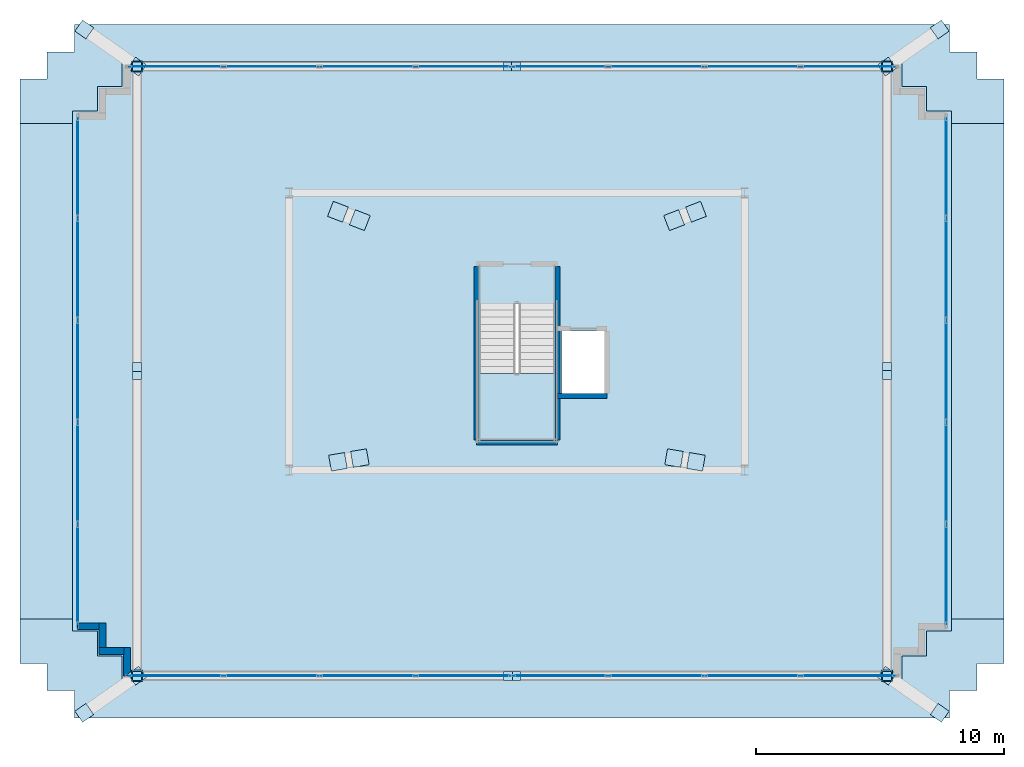
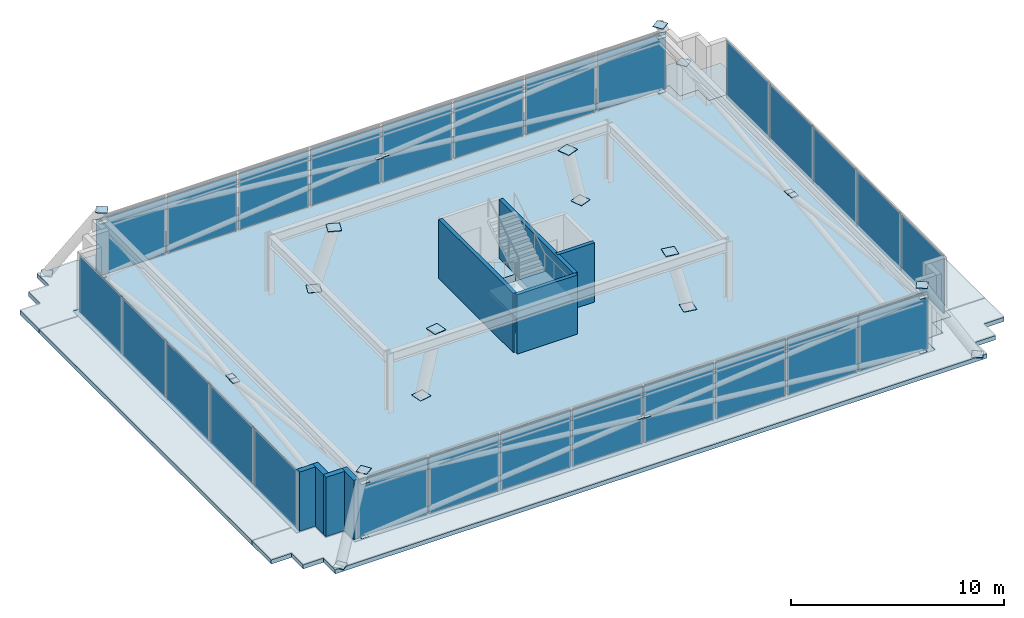
# One storey, part 14 of 18: 58 plates, 8 walls, 6 slabs, 5 elements without a shape of their own.
"""IFC4 building model written with IfcOpenShell, lengths in metres."""

from ifc_helpers import new_model, si_unit, direction, frame, frame_2d, origin, origin_2d, place, context, subcontext, project, spatial, polyline, rectangle, outline, extrude, material, layer, layer_set, type_object, element, aggregate, save


model = new_model("IFC4")

# Units and contexts
model_context = context("Model", 3, precision=1e-05, world=origin(), true_north=direction((0.0, 1.0)))
body_context = subcontext(model_context, "Body", "Model", "MODEL_VIEW")
ifc_project = project(units=[si_unit("LENGTHUNIT", "METRE"), si_unit("AREAUNIT", "SQUARE_METRE"), si_unit("VOLUMEUNIT", "CUBIC_METRE"), si_unit("PLANEANGLEUNIT", "RADIAN"), si_unit("MASSUNIT", "GRAM", prefix="KILO")], contexts=[model_context])

# Site, building, storey
site_placement = place(None, origin())
site = spatial("IfcSite", under=ifc_project, at=site_placement, CompositionType="ELEMENT")
building_placement = place(site_placement, origin())
building = spatial("IfcBuilding", under=site, at=building_placement, Name="Qobustan Lattice House", CompositionType="ELEMENT")
storey_placement = place(building_placement, frame((0.0, 0.0, 277.800048828125)))
storey = spatial("IfcBuildingStorey", under=building, at=storey_placement, Name="L78", CompositionType="ELEMENT", Elevation=277.800048828125)

# Curtain wall, plates
ifc_material_1 = material(Name="Anodised aluminium and low-E glazing", Category="aluminium")
ifc_layer_1 = layer(ifc_material_1, 0.219970703125)
ifc_layer_set_1 = layer_set([ifc_layer_1], Name="Anodised aluminium and low-E glazing")
curtain_wall_type = type_object("IfcCurtainWallType", Name="CW-CRN-01", PredefinedType="USERDEFINED", material=ifc_layer_set_1)
curtain_wall_1_placement = place(storey_placement, origin())
curtain_wall_1 = element("IfcCurtainWall", 1, at=curtain_wall_1_placement, inside=storey, type_object=curtain_wall_type, Name="L78 glass-point crown faceted curtain wall 5", ObjectType="CURTAIN WALL", PredefinedType="USERDEFINED")
ifc_material_2 = material(Name="Warm frit stone-toned laminated glass", Category="masonry")
ifc_layer_2 = layer(ifc_material_2, 0.035888671875)
ifc_layer_set_2 = layer_set([ifc_layer_2], Name="Warm frit stone-toned laminated glass")
plate_type_1 = type_object("IfcPlateType", Name="CWP-CROWN-36", PredefinedType="CURTAIN_PANEL", material=ifc_layer_set_2)
plate_1_placement = place(storey_placement, frame((-17.74658203125, -9.8203125, 0.06494140625), z_axis=(0.0, 0.0, 1.0), x_axis=(0.0, 1.0, 0.0)))
plate_1 = element("IfcPlate", 2, at=plate_1_placement, type_object=plate_type_1, Name="CW-CR panel 1.1", PredefinedType="CURTAIN_PANEL", context=body_context, shape_type="SweptSolid", body=[
    extrude(rectangle(XDim=3.986328125, YDim=0.031982421875, at=origin_2d()), origin(), (0.0, 0.0, 1.0), 3.27001953125),
])
plate_2_placement = place(storey_placement, frame((-17.74658203125, -5.721435546875, 0.06494140625), z_axis=(0.0, 0.0, 1.0), x_axis=(0.0, 1.0, 0.0)))
plate_2 = element("IfcPlate", 3, at=plate_2_placement, type_object=plate_type_1, Name="CW-CR panel 2.1", PredefinedType="CURTAIN_PANEL", context=body_context, shape_type="SweptSolid", body=[
    extrude(rectangle(XDim=4.031494140625, YDim=0.031982421875, at=origin_2d()), origin(), (0.0, 0.0, 1.0), 3.27001953125),
])
plate_3_placement = place(storey_placement, frame((-17.74658203125, -1.60009765625, 0.06494140625), z_axis=(0.0, 0.0, 1.0), x_axis=(0.0, 1.0, 0.0)))
plate_3 = element("IfcPlate", 4, at=plate_3_placement, type_object=plate_type_1, Name="CW-CR panel 3.1", PredefinedType="CURTAIN_PANEL", context=body_context, shape_type="SweptSolid", body=[
    extrude(rectangle(XDim=4.031494140625, YDim=0.031982421875, at=origin_2d()), origin(), (0.0, 0.0, 1.0), 3.27001953125),
])
plate_4_placement = place(storey_placement, frame((-17.74658203125, 2.521484375, 0.06494140625), z_axis=(0.0, 0.0, 1.0), x_axis=(0.0, 1.0, 0.0)))
plate_4 = element("IfcPlate", 5, at=plate_4_placement, type_object=plate_type_1, Name="CW-CR panel 4.1", PredefinedType="CURTAIN_PANEL", context=body_context, shape_type="SweptSolid", body=[
    extrude(rectangle(XDim=4.031494140625, YDim=0.031982421875, at=origin_2d()), origin(), (0.0, 0.0, 1.0), 3.27001953125),
])
plate_5_placement = place(storey_placement, frame((-17.74658203125, 6.620361328125, 0.06494140625), z_axis=(0.0, 0.0, 1.0), x_axis=(0.0, 1.0, 0.0)))
plate_5 = element("IfcPlate", 6, at=plate_5_placement, type_object=plate_type_1, Name="CW-CR panel 5.1", PredefinedType="CURTAIN_PANEL", context=body_context, shape_type="SweptSolid", body=[
    extrude(rectangle(XDim=3.986328125, YDim=0.031982421875, at=origin_2d()), origin(), (0.0, 0.0, 1.0), 3.27001953125),
])
aggregate(curtain_wall_1, [plate_1, plate_2, plate_3, plate_4, plate_5])

curtain_wall_2_placement = place(storey_placement, origin())
curtain_wall_2 = element("IfcCurtainWall", 7, at=curtain_wall_2_placement, inside=storey, type_object=curtain_wall_type, Name="L78 glass-point crown faceted curtain wall 10", ObjectType="CURTAIN WALL", PredefinedType="USERDEFINED")
plate_6_placement = place(storey_placement, frame((-13.78076171875, 10.70361328125, 0.06494140625), z_axis=(0.0, 0.0, 1.0), x_axis=(1.0, 0.0, 0.0)))
plate_6 = element("IfcPlate", 8, at=plate_6_placement, type_object=plate_type_1, Name="CW-CR panel 1.1", PredefinedType="CURTAIN_PANEL", context=body_context, shape_type="SweptSolid", body=[
    extrude(rectangle(XDim=3.751708984375, YDim=0.031982421875, at=origin_2d()), origin(), (0.0, 0.0, 1.0), 3.27001953125),
])
plate_7_placement = place(storey_placement, frame((-9.91650390625, 10.70361328125, 0.06494140625), z_axis=(0.0, 0.0, 1.0), x_axis=(1.0, 0.0, 0.0)))
plate_7 = element("IfcPlate", 9, at=plate_7_placement, type_object=plate_type_1, Name="CW-CR panel 2.1", PredefinedType="CURTAIN_PANEL", context=body_context, shape_type="SweptSolid", body=[
    extrude(rectangle(XDim=3.796630859375, YDim=0.031982421875, at=origin_2d()), origin(), (0.0, 0.0, 1.0), 3.27001953125),
])
plate_8_placement = place(storey_placement, frame((-6.030029296875, 10.70361328125, 0.06494140625), z_axis=(0.0, 0.0, 1.0), x_axis=(1.0, 0.0, 0.0)))
plate_8 = element("IfcPlate", 10, at=plate_8_placement, type_object=plate_type_1, Name="CW-CR panel 3.1", PredefinedType="CURTAIN_PANEL", context=body_context, shape_type="SweptSolid", body=[
    extrude(rectangle(XDim=3.796630859375, YDim=0.031982421875, at=origin_2d()), origin(), (0.0, 0.0, 1.0), 3.27001953125),
])
plate_9_placement = place(storey_placement, frame((-2.143310546875, 10.70361328125, 0.06494140625), z_axis=(0.0, 0.0, 1.0), x_axis=(1.0, 0.0, 0.0)))
plate_9 = element("IfcPlate", 11, at=plate_9_placement, type_object=plate_type_1, Name="CW-CR panel 4.1", PredefinedType="CURTAIN_PANEL", context=body_context, shape_type="SweptSolid", body=[
    extrude(rectangle(XDim=3.796630859375, YDim=0.031982421875, at=origin_2d()), origin(), (0.0, 0.0, 1.0), 3.27001953125),
])
plate_10_placement = place(storey_placement, frame((1.743408203125, 10.70361328125, 0.06494140625), z_axis=(0.0, 0.0, 1.0), x_axis=(1.0, 0.0, 0.0)))
plate_10 = element("IfcPlate", 12, at=plate_10_placement, type_object=plate_type_1, Name="CW-CR panel 5.1", PredefinedType="CURTAIN_PANEL", context=body_context, shape_type="SweptSolid", body=[
    extrude(rectangle(XDim=3.796630859375, YDim=0.031982421875, at=origin_2d()), origin(), (0.0, 0.0, 1.0), 3.27001953125),
])
plate_11_placement = place(storey_placement, frame((5.6298828125, 10.70361328125, 0.06494140625), z_axis=(0.0, 0.0, 1.0), x_axis=(1.0, 0.0, 0.0)))
plate_11 = element("IfcPlate", 13, at=plate_11_placement, type_object=plate_type_1, Name="CW-CR panel 6.1", PredefinedType="CURTAIN_PANEL", context=body_context, shape_type="SweptSolid", body=[
    extrude(rectangle(XDim=3.796630859375, YDim=0.031982421875, at=origin_2d()), origin(), (0.0, 0.0, 1.0), 3.27001953125),
])
plate_12_placement = place(storey_placement, frame((9.5166015625, 10.70361328125, 0.06494140625), z_axis=(0.0, 0.0, 1.0), x_axis=(1.0, 0.0, 0.0)))
plate_12 = element("IfcPlate", 14, at=plate_12_placement, type_object=plate_type_1, Name="CW-CR panel 7.1", PredefinedType="CURTAIN_PANEL", context=body_context, shape_type="SweptSolid", body=[
    extrude(rectangle(XDim=3.796630859375, YDim=0.031982421875, at=origin_2d()), origin(), (0.0, 0.0, 1.0), 3.27001953125),
])
plate_13_placement = place(storey_placement, frame((13.380615234375, 10.70361328125, 0.06494140625), z_axis=(0.0, 0.0, 1.0), x_axis=(1.0, 0.0, 0.0)))
plate_13 = element("IfcPlate", 15, at=plate_13_placement, type_object=plate_type_1, Name="CW-CR panel 8.1", PredefinedType="CURTAIN_PANEL", context=body_context, shape_type="SweptSolid", body=[
    extrude(rectangle(XDim=3.751708984375, YDim=0.031982421875, at=origin_2d()), origin(), (0.0, 0.0, 1.0), 3.27001953125),
])
aggregate(curtain_wall_2, [plate_6, plate_7, plate_8, plate_9, plate_10, plate_11, plate_12, plate_13])

curtain_wall_3_placement = place(storey_placement, origin())
curtain_wall_3 = element("IfcCurtainWall", 16, at=curtain_wall_3_placement, inside=storey, type_object=curtain_wall_type, Name="L78 glass-point crown faceted curtain wall 15", ObjectType="CURTAIN WALL", PredefinedType="USERDEFINED")
plate_14_placement = place(storey_placement, frame((17.346435546875, 6.620361328125, 0.06494140625), z_axis=(0.0, 0.0, 1.0), x_axis=(0.0, -1.0, 0.0)))
plate_14 = element("IfcPlate", 17, at=plate_14_placement, type_object=plate_type_1, Name="CW-CR panel 1.1", PredefinedType="CURTAIN_PANEL", context=body_context, shape_type="SweptSolid", body=[
    extrude(rectangle(XDim=3.986328125, YDim=0.031982421875, at=origin_2d()), origin(), (0.0, 0.0, 1.0), 3.27001953125),
])
plate_15_placement = place(storey_placement, frame((17.346435546875, 2.521484375, 0.06494140625), z_axis=(0.0, 0.0, 1.0), x_axis=(0.0, -1.0, 0.0)))
plate_15 = element("IfcPlate", 18, at=plate_15_placement, type_object=plate_type_1, Name="CW-CR panel 2.1", PredefinedType="CURTAIN_PANEL", context=body_context, shape_type="SweptSolid", body=[
    extrude(rectangle(XDim=4.031494140625, YDim=0.031982421875, at=origin_2d()), origin(), (0.0, 0.0, 1.0), 3.27001953125),
])
plate_16_placement = place(storey_placement, frame((17.346435546875, -1.60009765625, 0.06494140625), z_axis=(0.0, 0.0, 1.0), x_axis=(0.0, -1.0, 0.0)))
plate_16 = element("IfcPlate", 19, at=plate_16_placement, type_object=plate_type_1, Name="CW-CR panel 3.1", PredefinedType="CURTAIN_PANEL", context=body_context, shape_type="SweptSolid", body=[
    extrude(rectangle(XDim=4.031494140625, YDim=0.031982421875, at=origin_2d()), origin(), (0.0, 0.0, 1.0), 3.27001953125),
])
plate_17_placement = place(storey_placement, frame((17.346435546875, -5.721435546875, 0.06494140625), z_axis=(0.0, 0.0, 1.0), x_axis=(0.0, -1.0, 0.0)))
plate_17 = element("IfcPlate", 20, at=plate_17_placement, type_object=plate_type_1, Name="CW-CR panel 4.1", PredefinedType="CURTAIN_PANEL", context=body_context, shape_type="SweptSolid", body=[
    extrude(rectangle(XDim=4.031494140625, YDim=0.031982421875, at=origin_2d()), origin(), (0.0, 0.0, 1.0), 3.27001953125),
])
plate_18_placement = place(storey_placement, frame((17.346435546875, -9.8203125, 0.06494140625), z_axis=(0.0, 0.0, 1.0), x_axis=(0.0, -1.0, 0.0)))
plate_18 = element("IfcPlate", 21, at=plate_18_placement, type_object=plate_type_1, Name="CW-CR panel 5.1", PredefinedType="CURTAIN_PANEL", context=body_context, shape_type="SweptSolid", body=[
    extrude(rectangle(XDim=3.986328125, YDim=0.031982421875, at=origin_2d()), origin(), (0.0, 0.0, 1.0), 3.27001953125),
])
aggregate(curtain_wall_3, [plate_14, plate_15, plate_16, plate_17, plate_18])

curtain_wall_4_placement = place(storey_placement, origin())
curtain_wall_4 = element("IfcCurtainWall", 22, at=curtain_wall_4_placement, inside=storey, type_object=curtain_wall_type, Name="L78 glass-point crown faceted curtain wall 20", ObjectType="CURTAIN WALL", PredefinedType="USERDEFINED")
plate_19_placement = place(storey_placement, frame((13.380615234375, -13.903564453125, 0.06494140625), z_axis=(0.0, 0.0, 1.0), x_axis=(-1.0, 0.0, 0.0)))
plate_19 = element("IfcPlate", 23, at=plate_19_placement, type_object=plate_type_1, Name="CW-CR panel 1.1", PredefinedType="CURTAIN_PANEL", context=body_context, shape_type="SweptSolid", body=[
    extrude(rectangle(XDim=3.751708984375, YDim=0.031982421875, at=origin_2d()), origin(), (0.0, 0.0, 1.0), 3.27001953125),
])
plate_20_placement = place(storey_placement, frame((9.5166015625, -13.903564453125, 0.06494140625), z_axis=(0.0, 0.0, 1.0), x_axis=(-1.0, 0.0, 0.0)))
plate_20 = element("IfcPlate", 24, at=plate_20_placement, type_object=plate_type_1, Name="CW-CR panel 2.1", PredefinedType="CURTAIN_PANEL", context=body_context, shape_type="SweptSolid", body=[
    extrude(rectangle(XDim=3.796630859375, YDim=0.031982421875, at=origin_2d()), origin(), (0.0, 0.0, 1.0), 3.27001953125),
])
plate_21_placement = place(storey_placement, frame((5.6298828125, -13.903564453125, 0.06494140625), z_axis=(0.0, 0.0, 1.0), x_axis=(-1.0, 0.0, 0.0)))
plate_21 = element("IfcPlate", 25, at=plate_21_placement, type_object=plate_type_1, Name="CW-CR panel 3.1", PredefinedType="CURTAIN_PANEL", context=body_context, shape_type="SweptSolid", body=[
    extrude(rectangle(XDim=3.796630859375, YDim=0.031982421875, at=origin_2d()), origin(), (0.0, 0.0, 1.0), 3.27001953125),
])
plate_22_placement = place(storey_placement, frame((1.743408203125, -13.903564453125, 0.06494140625), z_axis=(0.0, 0.0, 1.0), x_axis=(-1.0, 0.0, 0.0)))
plate_22 = element("IfcPlate", 26, at=plate_22_placement, type_object=plate_type_1, Name="CW-CR panel 4.1", PredefinedType="CURTAIN_PANEL", context=body_context, shape_type="SweptSolid", body=[
    extrude(rectangle(XDim=3.796630859375, YDim=0.031982421875, at=origin_2d()), origin(), (0.0, 0.0, 1.0), 3.27001953125),
])
plate_23_placement = place(storey_placement, frame((-2.143310546875, -13.903564453125, 0.06494140625), z_axis=(0.0, 0.0, 1.0), x_axis=(-1.0, 0.0, 0.0)))
plate_23 = element("IfcPlate", 27, at=plate_23_placement, type_object=plate_type_1, Name="CW-CR panel 5.1", PredefinedType="CURTAIN_PANEL", context=body_context, shape_type="SweptSolid", body=[
    extrude(rectangle(XDim=3.796630859375, YDim=0.031982421875, at=origin_2d()), origin(), (0.0, 0.0, 1.0), 3.27001953125),
])
plate_24_placement = place(storey_placement, frame((-6.030029296875, -13.903564453125, 0.06494140625), z_axis=(0.0, 0.0, 1.0), x_axis=(-1.0, 0.0, 0.0)))
plate_24 = element("IfcPlate", 28, at=plate_24_placement, type_object=plate_type_1, Name="CW-CR panel 6.1", PredefinedType="CURTAIN_PANEL", context=body_context, shape_type="SweptSolid", body=[
    extrude(rectangle(XDim=3.796630859375, YDim=0.031982421875, at=origin_2d()), origin(), (0.0, 0.0, 1.0), 3.27001953125),
])
plate_25_placement = place(storey_placement, frame((-9.91650390625, -13.903564453125, 0.06494140625), z_axis=(0.0, 0.0, 1.0), x_axis=(-1.0, 0.0, 0.0)))
plate_25 = element("IfcPlate", 29, at=plate_25_placement, type_object=plate_type_1, Name="CW-CR panel 7.1", PredefinedType="CURTAIN_PANEL", context=body_context, shape_type="SweptSolid", body=[
    extrude(rectangle(XDim=3.796630859375, YDim=0.031982421875, at=origin_2d()), origin(), (0.0, 0.0, 1.0), 3.27001953125),
])
plate_26_placement = place(storey_placement, frame((-13.78076171875, -13.903564453125, 0.06494140625), z_axis=(0.0, 0.0, 1.0), x_axis=(-1.0, 0.0, 0.0)))
plate_26 = element("IfcPlate", 30, at=plate_26_placement, type_object=plate_type_1, Name="CW-CR panel 8.1", PredefinedType="CURTAIN_PANEL", context=body_context, shape_type="SweptSolid", body=[
    extrude(rectangle(XDim=3.751708984375, YDim=0.031982421875, at=origin_2d()), origin(), (0.0, 0.0, 1.0), 3.27001953125),
])
aggregate(curtain_wall_4, [plate_19, plate_20, plate_21, plate_22, plate_23, plate_24, plate_25, plate_26])

# Plates
ifc_material_3 = material(Name="Steel S355", Category="steel")
ifc_layer_3 = layer(ifc_material_3, 0.030029296875)
ifc_layer_set_3 = layer_set([ifc_layer_3], Name="Steel S355")
plate_type_2 = type_object("IfcPlateType", Name="PLT-CAP-25", PredefinedType="SHEET", material=ifc_layer_set_3)
for number, where, z_axis, x_axis, name in (
    (31, (-7.23095703125, -5.262451171875, -0.02001953125), (0.0, 0.0, 1.0), (0.985623960897, 0.168953862656, 0.0), "L78 crown spire leg SL1 end cap plate 1"),
    (32, (-6.3466796875, -5.11083984375, 3.3896484375), (0.0, 0.0, 1.0), (0.985623960897, 0.168953862656, 0.0), "L78 crown spire leg SL1 end cap plate 2"),
    (33, (7.23095703125, -5.262451171875, -0.02001953125), (0.0, 0.0, 1.0), (-0.985623960897, 0.168953862656, 0.0), "L78 crown spire leg SL2 end cap plate 1"),
    (34, (6.3466796875, -5.11083984375, 3.3896484375), (0.0, 0.0, 1.0), (-0.985623960897, 0.168953862656, 0.0), "L78 crown spire leg SL2 end cap plate 2"),
    (35, (7.230712890625, 4.840576171875, -0.02001953125), (0.0, 0.0, 1.0), (-0.933003790768, -0.359866539724, 0.0), "L78 crown spire leg SL3 end cap plate 1"),
    (36, (6.346923828125, 4.49951171875, 3.3896484375), (0.0, 0.0, 1.0), (-0.933003790768, -0.359866539724, 0.0), "L78 crown spire leg SL3 end cap plate 2"),
    (37, (-7.230712890625, 4.840576171875, -0.02001953125), (0.0, 0.0, 1.0), (0.933003790768, -0.359866539724, 0.0), "L78 crown spire leg SL4 end cap plate 1"),
    (38, (-6.346923828125, 4.49951171875, 3.3896484375), (0.0, 0.0, 1.0), (0.933003790768, -0.359866539724, 0.0), "L78 crown spire leg SL4 end cap plate 2"),
):
    element("IfcPlate", number, at=place(storey_placement, frame(where, z_axis=z_axis, x_axis=x_axis)), inside=storey, type_object=plate_type_2, Name=name, PredefinedType="SHEET", context=body_context, shape_type="SweptSolid", body=[
        extrude(rectangle(XDim=0.64990234375, YDim=0.64990234375, at=origin_2d()), origin(), (0.0, 0.0, 1.0), 0.030029296875),
    ])
for number, where, z_axis, x_axis, name in (
    (39, (-17.475830078125, -15.403076171875, -0.01904296875), (0.0, 0.0, 1.0), (0.817587325581, 0.575804624026, 0.0), "L78 crown corner raking strut 1 end cap plate 1"),
    (40, (-15.34423828125, -13.90185546875, 3.7890625), (0.0, 0.0, 1.0), (0.817587325581, 0.575804624026, 0.0), "L78 crown corner raking strut 1 end cap plate 2"),
    (41, (17.07568359375, -15.403076171875, -0.01904296875), (0.0, 0.0, 1.0), (-0.817587325581, 0.575804624026, 0.0), "L78 crown corner raking strut 2 end cap plate 1"),
    (42, (14.944091796875, -13.90185546875, 3.7890625), (0.0, 0.0, 1.0), (-0.817587325581, 0.575804624026, 0.0), "L78 crown corner raking strut 2 end cap plate 2"),
    (43, (17.07568359375, 12.203125, -0.01904296875), (0.0, 0.0, 1.0), (-0.817587325581, -0.575804624026, 0.0), "L78 crown corner raking strut 3 end cap plate 1"),
    (44, (14.944091796875, 10.701904296875, 3.7890625), (0.0, 0.0, 1.0), (-0.817587325581, -0.575804624026, 0.0), "L78 crown corner raking strut 3 end cap plate 2"),
    (45, (-17.475830078125, 12.203125, -0.01904296875), (0.0, 0.0, 1.0), (0.817587325581, -0.575804624026, 0.0), "L78 crown corner raking strut 4 end cap plate 1"),
    (46, (-15.34423828125, 10.701904296875, 3.7890625), (0.0, 0.0, 1.0), (0.817587325581, -0.575804624026, 0.0), "L78 crown corner raking strut 4 end cap plate 2"),
):
    element("IfcPlate", number, at=place(storey_placement, frame(where, z_axis=z_axis, x_axis=x_axis)), inside=storey, type_object=plate_type_2, Name=name, PredefinedType="SHEET", context=body_context, shape_type="SweptSolid", body=[
        extrude(rectangle(XDim=0.548095703125, YDim=0.548095703125, at=origin_2d()), origin(), (0.0, 0.0, 1.0), 0.030029296875),
    ])
for number, where, z_axis, x_axis, name in (
    (47, (-15.3515625, -13.903564453125, 3.1650390625), (0.0, 0.0, 1.0), (1.0, 0.0, 0.0), "L78 crown ring chord 1 end cap plate 1"),
    (48, (14.951416015625, -13.903564453125, 3.1650390625), (0.0, 0.0, 1.0), (1.0, 0.0, 0.0), "L78 crown ring chord 1 end cap plate 2"),
):
    element("IfcPlate", number, at=place(storey_placement, frame(where, z_axis=z_axis, x_axis=x_axis)), inside=storey, type_object=plate_type_2, Name=name, PredefinedType="SHEET", context=body_context, shape_type="SweptSolid", body=[
        extrude(rectangle(XDim=0.4462890625, YDim=0.4462890625, at=origin_2d()), origin(), (0.0, 0.0, 1.0), 0.030029296875),
    ])
for number, where, z_axis, x_axis, name in (
    (49, (-15.3515625, -13.903564453125, -0.00048828125), (0.0, 0.0, 1.0), (1.0, 0.0, 0.0), "L78 crown diagrid continuous brace 1A end cap plate 1"),
    (50, (14.951416015625, -13.903564453125, -0.00048828125), (0.0, 0.0, 1.0), (-1.0, 0.0, 0.0), "L78 crown diagrid split brace 1B lower end cap plate 1"),
    (51, (-0.037841796875, -13.903564453125, 1.5654296875), (0.0, 0.0, 1.0), (-1.0, 0.0, 0.0), "L78 crown diagrid split brace 1B lower end cap plate 2"),
    (52, (-0.362060546875, -13.903564453125, 1.599609375), (0.0, 0.0, 1.0), (-1.0, 0.0, 0.0), "L78 crown diagrid split brace 1B upper end cap plate 1"),
):
    element("IfcPlate", number, at=place(storey_placement, frame(where, z_axis=z_axis, x_axis=x_axis)), inside=storey, type_object=plate_type_2, Name=name, PredefinedType="SHEET", context=body_context, shape_type="SweptSolid", body=[
        extrude(rectangle(XDim=0.364013671875, YDim=0.364013671875, at=origin_2d()), origin(), (0.0, 0.0, 1.0), 0.030029296875),
    ])
plate_27_placement = place(storey_placement, frame((14.946533203125, 10.70849609375, 3.1650390625), z_axis=(0.0, 0.0, 1.0), x_axis=(0.0, 1.0, 0.0)))
element("IfcPlate", 53, at=plate_27_placement, inside=storey, type_object=plate_type_2, Name="L78 crown ring chord 2 end cap plate 2", PredefinedType="SHEET", context=body_context, shape_type="SweptSolid", body=[
    extrude(rectangle(XDim=0.4462890625, YDim=0.4462890625, at=origin_2d()), origin(), (0.0, 0.0, 1.0), 0.030029296875),
])
for number, where, z_axis, x_axis, name in (
    (54, (14.946533203125, 10.70849609375, -0.00048828125), (0.0, 0.0, 1.0), (0.0, -1.0, 0.0), "L78 crown diagrid split brace 2B lower end cap plate 1"),
    (55, (14.946533203125, -1.4384765625, 1.5615234375), (0.0, 0.0, 1.0), (0.0, -1.0, 0.0), "L78 crown diagrid split brace 2B lower end cap plate 2"),
    (56, (14.946533203125, -1.76171875, 1.60302734375), (0.0, 0.0, 1.0), (0.0, -1.0, 0.0), "L78 crown diagrid split brace 2B upper end cap plate 1"),
):
    element("IfcPlate", number, at=place(storey_placement, frame(where, z_axis=z_axis, x_axis=x_axis)), inside=storey, type_object=plate_type_2, Name=name, PredefinedType="SHEET", context=body_context, shape_type="SweptSolid", body=[
        extrude(rectangle(XDim=0.364013671875, YDim=0.364013671875, at=origin_2d()), origin(), (0.0, 0.0, 1.0), 0.030029296875),
    ])
plate_28_placement = place(storey_placement, frame((-15.3515625, 10.70361328125, 3.1650390625), z_axis=(0.0, 0.0, 1.0), x_axis=(-1.0, 0.0, 0.0)))
element("IfcPlate", 57, at=plate_28_placement, inside=storey, type_object=plate_type_2, Name="L78 crown ring chord 3 end cap plate 2", PredefinedType="SHEET", context=body_context, shape_type="SweptSolid", body=[
    extrude(rectangle(XDim=0.4462890625, YDim=0.4462890625, at=origin_2d()), origin(), (0.0, 0.0, 1.0), 0.030029296875),
])
for number, where, z_axis, x_axis, name in (
    (58, (-15.3515625, 10.70361328125, -0.00048828125), (0.0, 0.0, 1.0), (1.0, 0.0, 0.0), "L78 crown diagrid split brace 3B lower end cap plate 1"),
    (59, (-0.362060546875, 10.70361328125, 1.5654296875), (0.0, 0.0, 1.0), (1.0, 0.0, 0.0), "L78 crown diagrid split brace 3B lower end cap plate 2"),
    (60, (-0.037841796875, 10.70361328125, 1.599609375), (0.0, 0.0, 1.0), (1.0, 0.0, 0.0), "L78 crown diagrid split brace 3B upper end cap plate 1"),
    (61, (-15.346435546875, -1.76171875, 1.5615234375), (0.0, 0.0, 1.0), (0.0, 1.0, 0.0), "L78 crown diagrid split brace 4B lower end cap plate 2"),
    (62, (-15.346435546875, -1.4384765625, 1.60302734375), (0.0, 0.0, 1.0), (0.0, 1.0, 0.0), "L78 crown diagrid split brace 4B upper end cap plate 1"),
):
    element("IfcPlate", number, at=place(storey_placement, frame(where, z_axis=z_axis, x_axis=x_axis)), inside=storey, type_object=plate_type_2, Name=name, PredefinedType="SHEET", context=body_context, shape_type="SweptSolid", body=[
        extrude(rectangle(XDim=0.364013671875, YDim=0.364013671875, at=origin_2d()), origin(), (0.0, 0.0, 1.0), 0.030029296875),
    ])

# Stair, slab
ifc_material_4 = material(Name="Concrete C40/50", Category="concrete")
stair_type = type_object("IfcStairType", Name="STR-CORE-DOGLEG", PredefinedType="HALF_TURN_STAIR", material=ifc_material_4)
stair_placement = place(storey_placement, origin())
stair = element("IfcStair", 63, at=stair_placement, inside=storey, type_object=stair_type, Name="L78 Crown access stair ST-C1", PredefinedType="HALF_TURN_STAIR")
ifc_material_5 = material(Name="Concrete C40/50", Category="concrete")
ifc_layer_4 = layer(ifc_material_5, 0.199951171875)
ifc_layer_set_4 = layer_set([ifc_layer_4], Name="Concrete C40/50")
slab_type_1 = type_object("IfcSlabType", Name="SLB-LANDING-200", PredefinedType="LANDING", material=ifc_layer_set_4)
slab_1_placement = place(storey_placement, frame((0.0, 0.0, 1.699951171875)))
slab_1 = element("IfcSlab", 64, at=slab_1_placement, type_object=slab_type_1, Name="ST-C1 landing 1", PredefinedType="LANDING", context=body_context, shape_type="SweptSolid", body=[
    extrude(outline(polyline([(-1.56005859375, -1.699951171875), (-1.56005859375, -4.39990234375), (1.56005859375, -4.39990234375), (1.56005859375, -1.699951171875), (-1.56005859375, -1.699951171875)])), origin(), (0.0, 0.0, 1.0), 0.199951171875),
])
aggregate(stair, [slab_1])

# Slabs
ifc_material_6 = material(Name="Concrete C50/60", Category="concrete")
ifc_layer_5 = layer(ifc_material_6, 0.39990234375)
ifc_layer_set_5 = layer_set([ifc_layer_5], Name="Concrete C50/60")
slab_type_2 = type_object("IfcSlabType", Name="SLB-PLANT-DECK-400", PredefinedType="USERDEFINED", material=ifc_layer_set_5)
slab_2_placement = place(storey_placement, frame((0.0, 0.0, -0.400146484375)))
element("IfcSlab", 65, at=slab_2_placement, inside=storey, type_object=slab_type_2, Name="L78 crown mechanical plant deck", ObjectType="PLANT DECK", PredefinedType="USERDEFINED", context=body_context, shape_type="SweptSolid", body=[
    extrude(outline(polyline([(-15.946533203125, -14.103515625), (15.54638671875, -14.103515625), (15.54638671875, -13.103515625), (16.54638671875, -13.103515625), (16.54638671875, -12.103515625), (17.54638671875, -12.103515625), (17.54638671875, 8.903564453125), (16.54638671875, 8.903564453125), (16.54638671875, 9.903564453125), (15.54638671875, 9.903564453125), (15.54638671875, 10.903564453125), (-15.946533203125, 10.903564453125), (-15.946533203125, 9.903564453125), (-16.946533203125, 9.903564453125), (-16.946533203125, 8.903564453125), (-17.946533203125, 8.903564453125), (-17.946533203125, -12.103515625), (-16.946533203125, -12.103515625), (-16.946533203125, -13.103515625), (-15.946533203125, -13.103515625), (-15.946533203125, -14.103515625)]), holes=[polyline([(-1.56005859375, -4.39990234375), (-1.56005859375, 1.139892578125), (1.56005859375, 1.139892578125), (1.56005859375, -4.39990234375), (-1.56005859375, -4.39990234375)]), polyline([(1.820068359375, -2.5), (1.820068359375, 0.02001953125), (3.5400390625, 0.02001953125), (3.5400390625, -2.5), (1.820068359375, -2.5)])]), origin(), (0.0, 0.0, 1.0), 0.400146484375),
])
ifc_material_7 = material(Name="Concrete C40/50", Category="concrete")
ifc_layer_6 = layer(ifc_material_7, 0.239990234375)
ifc_layer_set_6 = layer_set([ifc_layer_6], Name="Concrete C40/50")
slab_type_3 = type_object("IfcSlabType", Name="SLB-ROOF-240", PredefinedType="ROOF", material=ifc_layer_set_6)
slab_3_placement = place(storey_placement, frame((0.0, 0.0, -0.239990234375)))
element("IfcSlab", 66, at=slab_3_placement, inside=storey, type_object=slab_type_3, Name="L78 crown step-in roof slab S1", PredefinedType="ROOF", context=body_context, shape_type="SweptSolid", body=[
    extrude(outline(polyline([(-17.87353515625, -14.50146484375), (-17.87353515625, -15.6015625), (17.473388671875, -15.6015625), (17.473388671875, -14.50146484375), (18.573486328125, -14.50146484375), (18.573486328125, -13.401611328125), (19.673583984375, -13.401611328125), (19.673583984375, -11.603515625), (17.54638671875, -11.603515625), (17.54638671875, -12.103515625), (16.54638671875, -12.103515625), (16.54638671875, -13.103515625), (15.54638671875, -13.103515625), (15.54638671875, -14.103515625), (-15.946533203125, -14.103515625), (-15.946533203125, -13.103515625), (-16.946533203125, -13.103515625), (-16.946533203125, -12.103515625), (-17.946533203125, -12.103515625), (-17.946533203125, -11.603515625), (-20.073486328125, -11.603515625), (-20.073486328125, -13.401611328125), (-18.973388671875, -13.401611328125), (-18.973388671875, -14.50146484375), (-17.87353515625, -14.50146484375)])), origin(), (0.0, 0.0, 1.0), 0.239990234375),
])
slab_4_placement = place(storey_placement, frame((0.0, 0.0, -0.239990234375)))
element("IfcSlab", 67, at=slab_4_placement, inside=storey, type_object=slab_type_3, Name="L78 crown step-in roof slab N1", PredefinedType="ROOF", context=body_context, shape_type="SweptSolid", body=[
    extrude(outline(polyline([(-20.073486328125, 8.403564453125), (-17.946533203125, 8.403564453125), (-17.946533203125, 8.903564453125), (-16.946533203125, 8.903564453125), (-16.946533203125, 9.903564453125), (-15.946533203125, 9.903564453125), (-15.946533203125, 10.903564453125), (15.54638671875, 10.903564453125), (15.54638671875, 9.903564453125), (16.54638671875, 9.903564453125), (16.54638671875, 8.903564453125), (17.54638671875, 8.903564453125), (17.54638671875, 8.403564453125), (19.673583984375, 8.403564453125), (19.673583984375, 10.201416015625), (18.573486328125, 10.201416015625), (18.573486328125, 11.301513671875), (17.473388671875, 11.301513671875), (17.473388671875, 12.401611328125), (-17.87353515625, 12.401611328125), (-17.87353515625, 11.301513671875), (-18.973388671875, 11.301513671875), (-18.973388671875, 10.201416015625), (-20.073486328125, 10.201416015625), (-20.073486328125, 8.403564453125)])), origin(), (0.0, 0.0, 1.0), 0.239990234375),
])
slab_5_placement = place(storey_placement, frame((0.0, 0.0, -0.239990234375)))
element("IfcSlab", 68, at=slab_5_placement, inside=storey, type_object=slab_type_3, Name="L78 crown step-in roof slab W1", PredefinedType="ROOF", context=body_context, shape_type="SweptSolid", body=[
    extrude(outline(polyline([(-20.073486328125, -11.603515625), (-17.946533203125, -11.603515625), (-17.946533203125, 8.403564453125), (-20.073486328125, 8.403564453125), (-20.073486328125, -11.603515625)])), origin(), (0.0, 0.0, 1.0), 0.239990234375),
])
slab_6_placement = place(storey_placement, frame((0.0, 0.0, -0.239990234375)))
element("IfcSlab", 69, at=slab_6_placement, inside=storey, type_object=slab_type_3, Name="L78 crown step-in roof slab E1", PredefinedType="ROOF", context=body_context, shape_type="SweptSolid", body=[
    extrude(outline(polyline([(19.673583984375, 8.403564453125), (17.54638671875, 8.403564453125), (17.54638671875, -11.603515625), (19.673583984375, -11.603515625), (19.673583984375, 8.403564453125)])), origin(), (0.0, 0.0, 1.0), 0.239990234375),
])

# Walls
ifc_material_8 = material(Name="Precast concrete C40/50", Category="concrete")
ifc_layer_7 = layer(ifc_material_8, 0.280029296875)
ifc_layer_set_7 = layer_set([ifc_layer_7], Name="Precast concrete C40/50")
wall_type_1 = type_object("IfcWallType", Name="WAL-EXT-CROWN-280", PredefinedType="SOLIDWALL", material=ifc_layer_set_7)
wall_1_placement = place(storey_placement, frame((-15.74658203125, -13.903564453125, 0.0), z_axis=(0.0, 0.0, 1.0), x_axis=(0.0, 1.0, 0.0)))
element("IfcWall", 70, at=wall_1_placement, inside=storey, type_object=wall_type_1, Name="L78 crown faceted limestone wall 1", PredefinedType="SOLIDWALL", context=body_context, shape_type="SweptSolid", body=[
    extrude(rectangle(XDim=1.14013671875, YDim=0.280029296875, at=frame_2d((0.570068359375, 0.0))), origin(), (0.0, 0.0, 1.0), 3.39990234375),
])
for number, where, z_axis, x_axis, name in (
    (71, (-15.87451171875, -12.903564453125, 0.0), (0.0, 0.0, 1.0), (-1.0, 0.0, 0.0), "L78 crown faceted limestone wall 2"),
    (72, (-16.74658203125, -12.775390625, 0.0), (0.0, 0.0, 1.0), (0.0, 1.0, 0.0), "L78 crown faceted limestone wall 3"),
):
    element("IfcWall", number, at=place(storey_placement, frame(where, z_axis=z_axis, x_axis=x_axis)), inside=storey, type_object=wall_type_1, Name=name, PredefinedType="SOLIDWALL", context=body_context, shape_type="SweptSolid", body=[
        extrude(rectangle(XDim=1.011962890625, YDim=0.280029296875, at=frame_2d((0.505859375, 0.0))), origin(), (0.0, 0.0, 1.0), 3.39990234375),
    ])
wall_2_placement = place(storey_placement, frame((-16.87451171875, -11.903564453125, 0.0), z_axis=(0.0, 0.0, 1.0), x_axis=(-1.0, 0.0, 0.0)))
element("IfcWall", 73, at=wall_2_placement, inside=storey, type_object=wall_type_1, Name="L78 crown faceted limestone wall 4", PredefinedType="SOLIDWALL", context=body_context, shape_type="SweptSolid", body=[
    extrude(rectangle(XDim=0.8720703125, YDim=0.280029296875, at=frame_2d((0.43603515625, 0.0))), origin(), (0.0, 0.0, 1.0), 3.39990234375),
])
ifc_material_9 = material(Name="Concrete C40/50", Category="concrete")
ifc_layer_8 = layer(ifc_material_9, 0.199951171875)
ifc_layer_set_8 = layer_set([ifc_layer_8], Name="Concrete C40/50")
wall_type_2 = type_object("IfcWallType", Name="WAL-SHAFT-LB-200", PredefinedType="SHEAR", material=ifc_layer_set_8)
wall_3_placement = place(storey_placement, frame((-1.639892578125, -4.47998046875, 0.0), z_axis=(0.0, 0.0, 1.0), x_axis=(1.0, 0.0, 0.0)))
element("IfcWall", 74, at=wall_3_placement, inside=storey, type_object=wall_type_2, Name="L78 crown stair ST-C1 RC shaft wall STC-S", PredefinedType="SHEAR", context=body_context, shape_type="SweptSolid", body=[
    extrude(rectangle(XDim=3.27978515625, YDim=0.199951171875, at=frame_2d((1.639892578125, 0.0))), origin(), (0.0, 0.0, 1.0), 3.39990234375),
])
for number, where, z_axis, x_axis, name in (
    (75, (-1.639892578125, -4.3798828125, 0.0), (0.0, 0.0, 1.0), (0.0, 1.0, 0.0), "L78 crown stair ST-C1 RC shaft wall STC-W"),
    (76, (1.639892578125, -4.3798828125, 0.0), (0.0, 0.0, 1.0), (0.0, 1.0, 0.0), "L78 crown stair ST-C1 RC shaft wall STC-E"),
):
    element("IfcWall", number, at=place(storey_placement, frame(where, z_axis=z_axis, x_axis=x_axis)), inside=storey, type_object=wall_type_2, Name=name, PredefinedType="SHEAR", context=body_context, shape_type="SweptSolid", body=[
        extrude(rectangle(XDim=7.0, YDim=0.199951171875, at=frame_2d((3.5, 0.0))), origin(), (0.0, 0.0, 1.0), 3.39990234375),
    ])
wall_4_placement = place(storey_placement, frame((1.639892578125, -2.60009765625, 0.0), z_axis=(0.0, 0.0, 1.0), x_axis=(1.0, 0.0, 0.0)))
element("IfcWall", 77, at=wall_4_placement, inside=storey, type_object=wall_type_2, Name="L78 crown firefighting lift RC shaft wall FFC-S", PredefinedType="SHEAR", context=body_context, shape_type="SweptSolid", body=[
    extrude(rectangle(XDim=2.0, YDim=0.199951171875, at=frame_2d((1.0, 0.0))), origin(), (0.0, 0.0, 1.0), 3.39990234375),
])

save(model, "model.ifc")
